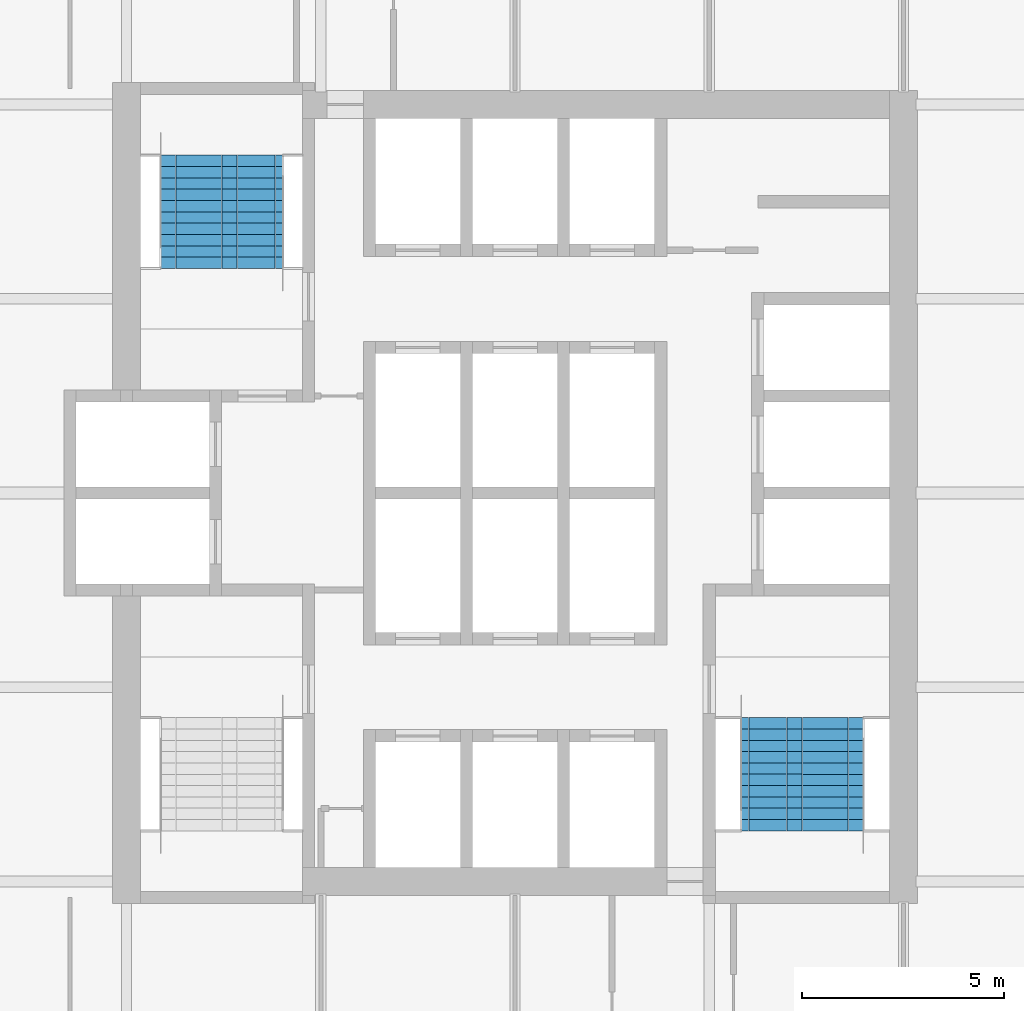
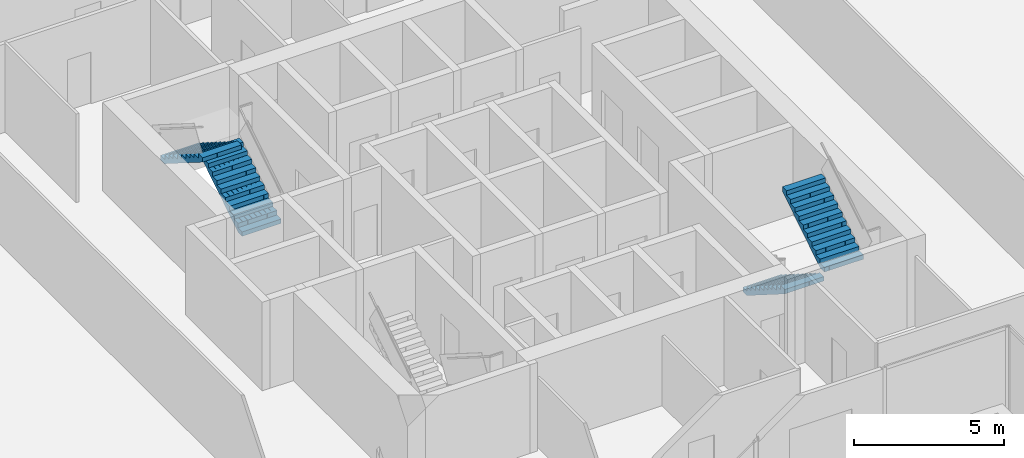
# One storey, part 16 of 18: 4 stair flights, 2 elements without a shape of their own.
"""IFC4 building model written with IfcOpenShell, lengths in metres."""

from ifc_helpers import new_model, si_unit, direction, frame, origin, place, context, subcontext, project, spatial, polyline, outline, extrude, material, type_object, element, aggregate, save


model = new_model("IFC4")

# Units and contexts
model_context = context("Model", 3, precision=1e-05, world=origin(), true_north=direction((0.0, 1.0)))
body_context = subcontext(model_context, "Body", "Model", "MODEL_VIEW")
ifc_project = project(units=[si_unit("LENGTHUNIT", "METRE"), si_unit("AREAUNIT", "SQUARE_METRE"), si_unit("VOLUMEUNIT", "CUBIC_METRE"), si_unit("PLANEANGLEUNIT", "RADIAN"), si_unit("MASSUNIT", "GRAM", prefix="KILO")], contexts=[model_context])

# Site, building, storey
site_placement = place(None, origin())
site = spatial("IfcSite", under=ifc_project, at=site_placement, CompositionType="ELEMENT")
building_placement = place(site_placement, origin())
building = spatial("IfcBuilding", under=site, at=building_placement, Name="Kolab Exchange Tower", CompositionType="ELEMENT")
storey_placement = place(building_placement, frame((0.0, 0.0, 212.89990234375)))
storey = spatial("IfcBuildingStorey", under=building, at=storey_placement, Name="L46", CompositionType="ELEMENT", Elevation=212.89990234375)

# Stair, stair flights
ifc_material = material(Name="Concrete C50/60", Category="concrete")
stair_type_1 = type_object("IfcStairType", Name="STAIR ST1 RISER 177.3", PredefinedType="HALF_TURN_STAIR", material=ifc_material)
stair_1_placement = place(storey_placement, origin())
stair_1 = element("IfcStair", 1, at=stair_1_placement, inside=storey, type_object=stair_type_1, Name="Stair 1", PredefinedType="HALF_TURN_STAIR")
stair_flight_type = type_object("IfcStairFlightType", Name="STAIR FLIGHT 1500 RISER 177.3", PredefinedType="STRAIGHT", material=ifc_material)
stair_flight_1_placement = place(storey_placement, frame((-6.489990234375, 5.550048828125, 0.0), z_axis=(0.0, 0.0, 1.0), x_axis=(0.0, 1.0, 0.0)))
stair_flight_1 = element("IfcStairFlight", 2, at=stair_flight_1_placement, type_object=stair_flight_type, Name="ST1 flight 1", NumberOfRisers=11, NumberOfTreads=10, PredefinedType="STRAIGHT", RiserHeight=0.177272727, TreadLength=0.28, context=body_context, shape_type="SweptSolid", body=[
    extrude(outline(polyline([(0.0, 0.0), (0.0, 0.17724609375), (0.280029296875, 0.17724609375), (0.280029296875, 0.3544921875), (0.56005859375, 0.3544921875), (0.56005859375, 0.53173828125), (0.840087890625, 0.53173828125), (0.840087890625, 0.708984375), (1.1201171875, 0.708984375), (1.1201171875, 0.886474609375), (1.39990234375, 0.886474609375), (1.39990234375, 1.063720703125), (1.679931640625, 1.063720703125), (1.679931640625, 1.240966796875), (1.9599609375, 1.240966796875), (1.9599609375, 1.418212890625), (2.239990234375, 1.418212890625), (2.239990234375, 1.595458984375), (2.52001953125, 1.595458984375), (2.52001953125, 1.772705078125), (2.800048828125, 1.772705078125), (2.800048828125, 1.949951171875), (2.800048828125, 1.59521484375), (0.2802734375, 0.0), (0.0, 0.0)])), frame((0.0, 0.75, 0.0), z_axis=(0.0, -1.0, 0.0), x_axis=(1.0, 0.0, 0.0)), (0.0, 0.0, 1.0), 0.185791015625),
    extrude(outline(polyline([(0.0, 0.0), (0.0, 0.17724609375), (0.280029296875, 0.17724609375), (0.280029296875, 0.3544921875), (0.56005859375, 0.3544921875), (0.56005859375, 0.53173828125), (0.840087890625, 0.53173828125), (0.840087890625, 0.708984375), (1.1201171875, 0.708984375), (1.1201171875, 0.886474609375), (1.39990234375, 0.886474609375), (1.39990234375, 1.063720703125), (1.679931640625, 1.063720703125), (1.679931640625, 1.240966796875), (1.9599609375, 1.240966796875), (1.9599609375, 1.418212890625), (2.239990234375, 1.418212890625), (2.239990234375, 1.595458984375), (2.52001953125, 1.595458984375), (2.52001953125, 1.772705078125), (2.800048828125, 1.772705078125), (2.800048828125, 1.949951171875), (2.800048828125, 1.59521484375), (0.2802734375, 0.0), (0.0, 0.0)])), frame((0.0, 0.562255859375, 0.0), z_axis=(0.0, -1.0, 0.0), x_axis=(1.0, 0.0, 0.0)), (0.0, 0.0, 1.0), 0.185791015625),
    extrude(outline(polyline([(0.0, 0.0), (0.0, 0.17724609375), (0.280029296875, 0.17724609375), (0.280029296875, 0.3544921875), (0.56005859375, 0.3544921875), (0.56005859375, 0.53173828125), (0.840087890625, 0.53173828125), (0.840087890625, 0.708984375), (1.1201171875, 0.708984375), (1.1201171875, 0.886474609375), (1.39990234375, 0.886474609375), (1.39990234375, 1.063720703125), (1.679931640625, 1.063720703125), (1.679931640625, 1.240966796875), (1.9599609375, 1.240966796875), (1.9599609375, 1.418212890625), (2.239990234375, 1.418212890625), (2.239990234375, 1.595458984375), (2.52001953125, 1.595458984375), (2.52001953125, 1.772705078125), (2.800048828125, 1.772705078125), (2.800048828125, 1.949951171875), (2.800048828125, 1.59521484375), (0.2802734375, 0.0), (0.0, 0.0)])), frame((0.0, 0.37451171875, 0.0), z_axis=(0.0, -1.0, 0.0), x_axis=(1.0, 0.0, 0.0)), (0.0, 0.0, 1.0), 0.185791015625),
    extrude(outline(polyline([(0.0, 0.0), (0.0, 0.17724609375), (0.280029296875, 0.17724609375), (0.280029296875, 0.3544921875), (0.56005859375, 0.3544921875), (0.56005859375, 0.53173828125), (0.840087890625, 0.53173828125), (0.840087890625, 0.708984375), (1.1201171875, 0.708984375), (1.1201171875, 0.886474609375), (1.39990234375, 0.886474609375), (1.39990234375, 1.063720703125), (1.679931640625, 1.063720703125), (1.679931640625, 1.240966796875), (1.9599609375, 1.240966796875), (1.9599609375, 1.418212890625), (2.239990234375, 1.418212890625), (2.239990234375, 1.595458984375), (2.52001953125, 1.595458984375), (2.52001953125, 1.772705078125), (2.800048828125, 1.772705078125), (2.800048828125, 1.949951171875), (2.800048828125, 1.59521484375), (0.2802734375, 0.0), (0.0, 0.0)])), frame((0.0, 0.186767578125, 0.0), z_axis=(0.0, -1.0, 0.0), x_axis=(1.0, 0.0, 0.0)), (0.0, 0.0, 1.0), 0.185791015625),
    extrude(outline(polyline([(0.0, 0.0), (0.0, 0.17724609375), (0.280029296875, 0.17724609375), (0.280029296875, 0.3544921875), (0.56005859375, 0.3544921875), (0.56005859375, 0.53173828125), (0.840087890625, 0.53173828125), (0.840087890625, 0.708984375), (1.1201171875, 0.708984375), (1.1201171875, 0.886474609375), (1.39990234375, 0.886474609375), (1.39990234375, 1.063720703125), (1.679931640625, 1.063720703125), (1.679931640625, 1.240966796875), (1.9599609375, 1.240966796875), (1.9599609375, 1.418212890625), (2.239990234375, 1.418212890625), (2.239990234375, 1.595458984375), (2.52001953125, 1.595458984375), (2.52001953125, 1.772705078125), (2.800048828125, 1.772705078125), (2.800048828125, 1.949951171875), (2.800048828125, 1.59521484375), (0.2802734375, 0.0), (0.0, 0.0)])), frame((0.0, -0.0009765625, 0.0), z_axis=(0.0, -1.0, 0.0), x_axis=(1.0, 0.0, 0.0)), (0.0, 0.0, 1.0), 0.185791015625),
    extrude(outline(polyline([(0.0, 0.0), (0.0, 0.17724609375), (0.280029296875, 0.17724609375), (0.280029296875, 0.3544921875), (0.56005859375, 0.3544921875), (0.56005859375, 0.53173828125), (0.840087890625, 0.53173828125), (0.840087890625, 0.708984375), (1.1201171875, 0.708984375), (1.1201171875, 0.886474609375), (1.39990234375, 0.886474609375), (1.39990234375, 1.063720703125), (1.679931640625, 1.063720703125), (1.679931640625, 1.240966796875), (1.9599609375, 1.240966796875), (1.9599609375, 1.418212890625), (2.239990234375, 1.418212890625), (2.239990234375, 1.595458984375), (2.52001953125, 1.595458984375), (2.52001953125, 1.772705078125), (2.800048828125, 1.772705078125), (2.800048828125, 1.949951171875), (2.800048828125, 1.59521484375), (0.2802734375, 0.0), (0.0, 0.0)])), frame((0.0, -0.188720703125, 0.0), z_axis=(0.0, -1.0, 0.0), x_axis=(1.0, 0.0, 0.0)), (0.0, 0.0, 1.0), 0.185791015625),
    extrude(outline(polyline([(0.0, 0.0), (0.0, 0.17724609375), (0.280029296875, 0.17724609375), (0.280029296875, 0.3544921875), (0.56005859375, 0.3544921875), (0.56005859375, 0.53173828125), (0.840087890625, 0.53173828125), (0.840087890625, 0.708984375), (1.1201171875, 0.708984375), (1.1201171875, 0.886474609375), (1.39990234375, 0.886474609375), (1.39990234375, 1.063720703125), (1.679931640625, 1.063720703125), (1.679931640625, 1.240966796875), (1.9599609375, 1.240966796875), (1.9599609375, 1.418212890625), (2.239990234375, 1.418212890625), (2.239990234375, 1.595458984375), (2.52001953125, 1.595458984375), (2.52001953125, 1.772705078125), (2.800048828125, 1.772705078125), (2.800048828125, 1.949951171875), (2.800048828125, 1.59521484375), (0.2802734375, 0.0), (0.0, 0.0)])), frame((0.0, -0.37646484375, 0.0), z_axis=(0.0, -1.0, 0.0), x_axis=(1.0, 0.0, 0.0)), (0.0, 0.0, 1.0), 0.185791015625),
    extrude(outline(polyline([(0.0, 0.0), (0.0, 0.17724609375), (0.280029296875, 0.17724609375), (0.280029296875, 0.3544921875), (0.56005859375, 0.3544921875), (0.56005859375, 0.53173828125), (0.840087890625, 0.53173828125), (0.840087890625, 0.708984375), (1.1201171875, 0.708984375), (1.1201171875, 0.886474609375), (1.39990234375, 0.886474609375), (1.39990234375, 1.063720703125), (1.679931640625, 1.063720703125), (1.679931640625, 1.240966796875), (1.9599609375, 1.240966796875), (1.9599609375, 1.418212890625), (2.239990234375, 1.418212890625), (2.239990234375, 1.595458984375), (2.52001953125, 1.595458984375), (2.52001953125, 1.772705078125), (2.800048828125, 1.772705078125), (2.800048828125, 1.949951171875), (2.800048828125, 1.59521484375), (0.2802734375, 0.0), (0.0, 0.0)])), frame((0.0, -0.564208984375, 0.0), z_axis=(0.0, -1.0, 0.0), x_axis=(1.0, 0.0, 0.0)), (0.0, 0.0, 1.0), 0.185791015625),
])
stair_flight_2_placement = place(storey_placement, frame((-8.010009765625, 8.35009765625, 1.9501953125), z_axis=(0.0, 0.0, 1.0), x_axis=(0.0, -1.0, 0.0)))
stair_flight_2 = element("IfcStairFlight", 3, at=stair_flight_2_placement, type_object=stair_flight_type, Name="ST1 flight 2", NumberOfRisers=11, NumberOfTreads=10, PredefinedType="STRAIGHT", RiserHeight=0.177272727, TreadLength=0.28, context=body_context, shape_type="SweptSolid", body=[
    extrude(outline(polyline([(0.0, 0.0), (0.0, 0.17724609375), (0.280029296875, 0.17724609375), (0.280029296875, 0.3544921875), (0.56005859375, 0.3544921875), (0.56005859375, 0.53173828125), (0.840087890625, 0.53173828125), (0.840087890625, 0.708984375), (1.1201171875, 0.708984375), (1.1201171875, 0.886474609375), (1.39990234375, 0.886474609375), (1.39990234375, 1.063720703125), (1.679931640625, 1.063720703125), (1.679931640625, 1.240966796875), (1.9599609375, 1.240966796875), (1.9599609375, 1.418212890625), (2.239990234375, 1.418212890625), (2.239990234375, 1.595458984375), (2.52001953125, 1.595458984375), (2.52001953125, 1.772705078125), (2.800048828125, 1.772705078125), (2.800048828125, 1.949951171875), (2.800048828125, 1.59521484375), (0.2802734375, 0.0), (0.0, 0.0)])), frame((0.0, 0.75, 0.0), z_axis=(0.0, -1.0, 0.0), x_axis=(1.0, 0.0, 0.0)), (0.0, 0.0, 1.0), 0.185791015625),
    extrude(outline(polyline([(0.0, 0.0), (0.0, 0.17724609375), (0.280029296875, 0.17724609375), (0.280029296875, 0.3544921875), (0.56005859375, 0.3544921875), (0.56005859375, 0.53173828125), (0.840087890625, 0.53173828125), (0.840087890625, 0.708984375), (1.1201171875, 0.708984375), (1.1201171875, 0.886474609375), (1.39990234375, 0.886474609375), (1.39990234375, 1.063720703125), (1.679931640625, 1.063720703125), (1.679931640625, 1.240966796875), (1.9599609375, 1.240966796875), (1.9599609375, 1.418212890625), (2.239990234375, 1.418212890625), (2.239990234375, 1.595458984375), (2.52001953125, 1.595458984375), (2.52001953125, 1.772705078125), (2.800048828125, 1.772705078125), (2.800048828125, 1.949951171875), (2.800048828125, 1.59521484375), (0.2802734375, 0.0), (0.0, 0.0)])), frame((0.0, 0.562255859375, 0.0), z_axis=(0.0, -1.0, 0.0), x_axis=(1.0, 0.0, 0.0)), (0.0, 0.0, 1.0), 0.185791015625),
    extrude(outline(polyline([(0.0, 0.0), (0.0, 0.17724609375), (0.280029296875, 0.17724609375), (0.280029296875, 0.3544921875), (0.56005859375, 0.3544921875), (0.56005859375, 0.53173828125), (0.840087890625, 0.53173828125), (0.840087890625, 0.708984375), (1.1201171875, 0.708984375), (1.1201171875, 0.886474609375), (1.39990234375, 0.886474609375), (1.39990234375, 1.063720703125), (1.679931640625, 1.063720703125), (1.679931640625, 1.240966796875), (1.9599609375, 1.240966796875), (1.9599609375, 1.418212890625), (2.239990234375, 1.418212890625), (2.239990234375, 1.595458984375), (2.52001953125, 1.595458984375), (2.52001953125, 1.772705078125), (2.800048828125, 1.772705078125), (2.800048828125, 1.949951171875), (2.800048828125, 1.59521484375), (0.2802734375, 0.0), (0.0, 0.0)])), frame((0.0, 0.37451171875, 0.0), z_axis=(0.0, -1.0, 0.0), x_axis=(1.0, 0.0, 0.0)), (0.0, 0.0, 1.0), 0.185791015625),
    extrude(outline(polyline([(0.0, 0.0), (0.0, 0.17724609375), (0.280029296875, 0.17724609375), (0.280029296875, 0.3544921875), (0.56005859375, 0.3544921875), (0.56005859375, 0.53173828125), (0.840087890625, 0.53173828125), (0.840087890625, 0.708984375), (1.1201171875, 0.708984375), (1.1201171875, 0.886474609375), (1.39990234375, 0.886474609375), (1.39990234375, 1.063720703125), (1.679931640625, 1.063720703125), (1.679931640625, 1.240966796875), (1.9599609375, 1.240966796875), (1.9599609375, 1.418212890625), (2.239990234375, 1.418212890625), (2.239990234375, 1.595458984375), (2.52001953125, 1.595458984375), (2.52001953125, 1.772705078125), (2.800048828125, 1.772705078125), (2.800048828125, 1.949951171875), (2.800048828125, 1.59521484375), (0.2802734375, 0.0), (0.0, 0.0)])), frame((0.0, 0.186767578125, 0.0), z_axis=(0.0, -1.0, 0.0), x_axis=(1.0, 0.0, 0.0)), (0.0, 0.0, 1.0), 0.185791015625),
    extrude(outline(polyline([(0.0, 0.0), (0.0, 0.17724609375), (0.280029296875, 0.17724609375), (0.280029296875, 0.3544921875), (0.56005859375, 0.3544921875), (0.56005859375, 0.53173828125), (0.840087890625, 0.53173828125), (0.840087890625, 0.708984375), (1.1201171875, 0.708984375), (1.1201171875, 0.886474609375), (1.39990234375, 0.886474609375), (1.39990234375, 1.063720703125), (1.679931640625, 1.063720703125), (1.679931640625, 1.240966796875), (1.9599609375, 1.240966796875), (1.9599609375, 1.418212890625), (2.239990234375, 1.418212890625), (2.239990234375, 1.595458984375), (2.52001953125, 1.595458984375), (2.52001953125, 1.772705078125), (2.800048828125, 1.772705078125), (2.800048828125, 1.949951171875), (2.800048828125, 1.59521484375), (0.2802734375, 0.0), (0.0, 0.0)])), frame((0.0, -0.0009765625, 0.0), z_axis=(0.0, -1.0, 0.0), x_axis=(1.0, 0.0, 0.0)), (0.0, 0.0, 1.0), 0.185791015625),
    extrude(outline(polyline([(0.0, 0.0), (0.0, 0.17724609375), (0.280029296875, 0.17724609375), (0.280029296875, 0.3544921875), (0.56005859375, 0.3544921875), (0.56005859375, 0.53173828125), (0.840087890625, 0.53173828125), (0.840087890625, 0.708984375), (1.1201171875, 0.708984375), (1.1201171875, 0.886474609375), (1.39990234375, 0.886474609375), (1.39990234375, 1.063720703125), (1.679931640625, 1.063720703125), (1.679931640625, 1.240966796875), (1.9599609375, 1.240966796875), (1.9599609375, 1.418212890625), (2.239990234375, 1.418212890625), (2.239990234375, 1.595458984375), (2.52001953125, 1.595458984375), (2.52001953125, 1.772705078125), (2.800048828125, 1.772705078125), (2.800048828125, 1.949951171875), (2.800048828125, 1.59521484375), (0.2802734375, 0.0), (0.0, 0.0)])), frame((0.0, -0.188720703125, 0.0), z_axis=(0.0, -1.0, 0.0), x_axis=(1.0, 0.0, 0.0)), (0.0, 0.0, 1.0), 0.185791015625),
    extrude(outline(polyline([(0.0, 0.0), (0.0, 0.17724609375), (0.280029296875, 0.17724609375), (0.280029296875, 0.3544921875), (0.56005859375, 0.3544921875), (0.56005859375, 0.53173828125), (0.840087890625, 0.53173828125), (0.840087890625, 0.708984375), (1.1201171875, 0.708984375), (1.1201171875, 0.886474609375), (1.39990234375, 0.886474609375), (1.39990234375, 1.063720703125), (1.679931640625, 1.063720703125), (1.679931640625, 1.240966796875), (1.9599609375, 1.240966796875), (1.9599609375, 1.418212890625), (2.239990234375, 1.418212890625), (2.239990234375, 1.595458984375), (2.52001953125, 1.595458984375), (2.52001953125, 1.772705078125), (2.800048828125, 1.772705078125), (2.800048828125, 1.949951171875), (2.800048828125, 1.59521484375), (0.2802734375, 0.0), (0.0, 0.0)])), frame((0.0, -0.37646484375, 0.0), z_axis=(0.0, -1.0, 0.0), x_axis=(1.0, 0.0, 0.0)), (0.0, 0.0, 1.0), 0.185791015625),
    extrude(outline(polyline([(0.0, 0.0), (0.0, 0.17724609375), (0.280029296875, 0.17724609375), (0.280029296875, 0.3544921875), (0.56005859375, 0.3544921875), (0.56005859375, 0.53173828125), (0.840087890625, 0.53173828125), (0.840087890625, 0.708984375), (1.1201171875, 0.708984375), (1.1201171875, 0.886474609375), (1.39990234375, 0.886474609375), (1.39990234375, 1.063720703125), (1.679931640625, 1.063720703125), (1.679931640625, 1.240966796875), (1.9599609375, 1.240966796875), (1.9599609375, 1.418212890625), (2.239990234375, 1.418212890625), (2.239990234375, 1.595458984375), (2.52001953125, 1.595458984375), (2.52001953125, 1.772705078125), (2.800048828125, 1.772705078125), (2.800048828125, 1.949951171875), (2.800048828125, 1.59521484375), (0.2802734375, 0.0), (0.0, 0.0)])), frame((0.0, -0.564208984375, 0.0), z_axis=(0.0, -1.0, 0.0), x_axis=(1.0, 0.0, 0.0)), (0.0, 0.0, 1.0), 0.185791015625),
])
aggregate(stair_1, [stair_flight_1, stair_flight_2])

stair_type_2 = type_object("IfcStairType", Name="STAIR ST2 RISER 177.3", PredefinedType="HALF_TURN_STAIR", material=ifc_material)
stair_2_placement = place(storey_placement, origin())
stair_2 = element("IfcStair", 4, at=stair_2_placement, inside=storey, type_object=stair_type_2, Name="Stair 2", PredefinedType="HALF_TURN_STAIR")
stair_flight_3_placement = place(storey_placement, frame((6.340087890625, -5.550048828125, 0.0), z_axis=(0.0, 0.0, 1.0), x_axis=(0.0, -1.0, 0.0)))
stair_flight_3 = element("IfcStairFlight", 5, at=stair_flight_3_placement, type_object=stair_flight_type, Name="ST2 flight 1", NumberOfRisers=11, NumberOfTreads=10, PredefinedType="STRAIGHT", RiserHeight=0.177272727, TreadLength=0.28, context=body_context, shape_type="SweptSolid", body=[
    extrude(outline(polyline([(0.0, 0.0), (0.0, 0.17724609375), (0.280029296875, 0.17724609375), (0.280029296875, 0.3544921875), (0.56005859375, 0.3544921875), (0.56005859375, 0.53173828125), (0.840087890625, 0.53173828125), (0.840087890625, 0.708984375), (1.1201171875, 0.708984375), (1.1201171875, 0.886474609375), (1.39990234375, 0.886474609375), (1.39990234375, 1.063720703125), (1.679931640625, 1.063720703125), (1.679931640625, 1.240966796875), (1.9599609375, 1.240966796875), (1.9599609375, 1.418212890625), (2.239990234375, 1.418212890625), (2.239990234375, 1.595458984375), (2.52001953125, 1.595458984375), (2.52001953125, 1.772705078125), (2.800048828125, 1.772705078125), (2.800048828125, 1.949951171875), (2.800048828125, 1.59521484375), (0.2802734375, 0.0), (0.0, 0.0)])), frame((0.0, 0.75, 0.0), z_axis=(0.0, -1.0, 0.0), x_axis=(1.0, 0.0, 0.0)), (0.0, 0.0, 1.0), 0.185791015625),
    extrude(outline(polyline([(0.0, 0.0), (0.0, 0.17724609375), (0.280029296875, 0.17724609375), (0.280029296875, 0.3544921875), (0.56005859375, 0.3544921875), (0.56005859375, 0.53173828125), (0.840087890625, 0.53173828125), (0.840087890625, 0.708984375), (1.1201171875, 0.708984375), (1.1201171875, 0.886474609375), (1.39990234375, 0.886474609375), (1.39990234375, 1.063720703125), (1.679931640625, 1.063720703125), (1.679931640625, 1.240966796875), (1.9599609375, 1.240966796875), (1.9599609375, 1.418212890625), (2.239990234375, 1.418212890625), (2.239990234375, 1.595458984375), (2.52001953125, 1.595458984375), (2.52001953125, 1.772705078125), (2.800048828125, 1.772705078125), (2.800048828125, 1.949951171875), (2.800048828125, 1.59521484375), (0.2802734375, 0.0), (0.0, 0.0)])), frame((0.0, 0.562255859375, 0.0), z_axis=(0.0, -1.0, 0.0), x_axis=(1.0, 0.0, 0.0)), (0.0, 0.0, 1.0), 0.185791015625),
    extrude(outline(polyline([(0.0, 0.0), (0.0, 0.17724609375), (0.280029296875, 0.17724609375), (0.280029296875, 0.3544921875), (0.56005859375, 0.3544921875), (0.56005859375, 0.53173828125), (0.840087890625, 0.53173828125), (0.840087890625, 0.708984375), (1.1201171875, 0.708984375), (1.1201171875, 0.886474609375), (1.39990234375, 0.886474609375), (1.39990234375, 1.063720703125), (1.679931640625, 1.063720703125), (1.679931640625, 1.240966796875), (1.9599609375, 1.240966796875), (1.9599609375, 1.418212890625), (2.239990234375, 1.418212890625), (2.239990234375, 1.595458984375), (2.52001953125, 1.595458984375), (2.52001953125, 1.772705078125), (2.800048828125, 1.772705078125), (2.800048828125, 1.949951171875), (2.800048828125, 1.59521484375), (0.2802734375, 0.0), (0.0, 0.0)])), frame((0.0, 0.37451171875, 0.0), z_axis=(0.0, -1.0, 0.0), x_axis=(1.0, 0.0, 0.0)), (0.0, 0.0, 1.0), 0.185791015625),
    extrude(outline(polyline([(0.0, 0.0), (0.0, 0.17724609375), (0.280029296875, 0.17724609375), (0.280029296875, 0.3544921875), (0.56005859375, 0.3544921875), (0.56005859375, 0.53173828125), (0.840087890625, 0.53173828125), (0.840087890625, 0.708984375), (1.1201171875, 0.708984375), (1.1201171875, 0.886474609375), (1.39990234375, 0.886474609375), (1.39990234375, 1.063720703125), (1.679931640625, 1.063720703125), (1.679931640625, 1.240966796875), (1.9599609375, 1.240966796875), (1.9599609375, 1.418212890625), (2.239990234375, 1.418212890625), (2.239990234375, 1.595458984375), (2.52001953125, 1.595458984375), (2.52001953125, 1.772705078125), (2.800048828125, 1.772705078125), (2.800048828125, 1.949951171875), (2.800048828125, 1.59521484375), (0.2802734375, 0.0), (0.0, 0.0)])), frame((0.0, 0.186767578125, 0.0), z_axis=(0.0, -1.0, 0.0), x_axis=(1.0, 0.0, 0.0)), (0.0, 0.0, 1.0), 0.185791015625),
    extrude(outline(polyline([(0.0, 0.0), (0.0, 0.17724609375), (0.280029296875, 0.17724609375), (0.280029296875, 0.3544921875), (0.56005859375, 0.3544921875), (0.56005859375, 0.53173828125), (0.840087890625, 0.53173828125), (0.840087890625, 0.708984375), (1.1201171875, 0.708984375), (1.1201171875, 0.886474609375), (1.39990234375, 0.886474609375), (1.39990234375, 1.063720703125), (1.679931640625, 1.063720703125), (1.679931640625, 1.240966796875), (1.9599609375, 1.240966796875), (1.9599609375, 1.418212890625), (2.239990234375, 1.418212890625), (2.239990234375, 1.595458984375), (2.52001953125, 1.595458984375), (2.52001953125, 1.772705078125), (2.800048828125, 1.772705078125), (2.800048828125, 1.949951171875), (2.800048828125, 1.59521484375), (0.2802734375, 0.0), (0.0, 0.0)])), frame((0.0, -0.0009765625, 0.0), z_axis=(0.0, -1.0, 0.0), x_axis=(1.0, 0.0, 0.0)), (0.0, 0.0, 1.0), 0.185791015625),
    extrude(outline(polyline([(0.0, 0.0), (0.0, 0.17724609375), (0.280029296875, 0.17724609375), (0.280029296875, 0.3544921875), (0.56005859375, 0.3544921875), (0.56005859375, 0.53173828125), (0.840087890625, 0.53173828125), (0.840087890625, 0.708984375), (1.1201171875, 0.708984375), (1.1201171875, 0.886474609375), (1.39990234375, 0.886474609375), (1.39990234375, 1.063720703125), (1.679931640625, 1.063720703125), (1.679931640625, 1.240966796875), (1.9599609375, 1.240966796875), (1.9599609375, 1.418212890625), (2.239990234375, 1.418212890625), (2.239990234375, 1.595458984375), (2.52001953125, 1.595458984375), (2.52001953125, 1.772705078125), (2.800048828125, 1.772705078125), (2.800048828125, 1.949951171875), (2.800048828125, 1.59521484375), (0.2802734375, 0.0), (0.0, 0.0)])), frame((0.0, -0.188720703125, 0.0), z_axis=(0.0, -1.0, 0.0), x_axis=(1.0, 0.0, 0.0)), (0.0, 0.0, 1.0), 0.185791015625),
    extrude(outline(polyline([(0.0, 0.0), (0.0, 0.17724609375), (0.280029296875, 0.17724609375), (0.280029296875, 0.3544921875), (0.56005859375, 0.3544921875), (0.56005859375, 0.53173828125), (0.840087890625, 0.53173828125), (0.840087890625, 0.708984375), (1.1201171875, 0.708984375), (1.1201171875, 0.886474609375), (1.39990234375, 0.886474609375), (1.39990234375, 1.063720703125), (1.679931640625, 1.063720703125), (1.679931640625, 1.240966796875), (1.9599609375, 1.240966796875), (1.9599609375, 1.418212890625), (2.239990234375, 1.418212890625), (2.239990234375, 1.595458984375), (2.52001953125, 1.595458984375), (2.52001953125, 1.772705078125), (2.800048828125, 1.772705078125), (2.800048828125, 1.949951171875), (2.800048828125, 1.59521484375), (0.2802734375, 0.0), (0.0, 0.0)])), frame((0.0, -0.37646484375, 0.0), z_axis=(0.0, -1.0, 0.0), x_axis=(1.0, 0.0, 0.0)), (0.0, 0.0, 1.0), 0.185791015625),
    extrude(outline(polyline([(0.0, 0.0), (0.0, 0.17724609375), (0.280029296875, 0.17724609375), (0.280029296875, 0.3544921875), (0.56005859375, 0.3544921875), (0.56005859375, 0.53173828125), (0.840087890625, 0.53173828125), (0.840087890625, 0.708984375), (1.1201171875, 0.708984375), (1.1201171875, 0.886474609375), (1.39990234375, 0.886474609375), (1.39990234375, 1.063720703125), (1.679931640625, 1.063720703125), (1.679931640625, 1.240966796875), (1.9599609375, 1.240966796875), (1.9599609375, 1.418212890625), (2.239990234375, 1.418212890625), (2.239990234375, 1.595458984375), (2.52001953125, 1.595458984375), (2.52001953125, 1.772705078125), (2.800048828125, 1.772705078125), (2.800048828125, 1.949951171875), (2.800048828125, 1.59521484375), (0.2802734375, 0.0), (0.0, 0.0)])), frame((0.0, -0.564208984375, 0.0), z_axis=(0.0, -1.0, 0.0), x_axis=(1.0, 0.0, 0.0)), (0.0, 0.0, 1.0), 0.185791015625),
])
stair_flight_4_placement = place(storey_placement, frame((7.860107421875, -8.35009765625, 1.9501953125), z_axis=(0.0, 0.0, 1.0), x_axis=(0.0, 1.0, 0.0)))
stair_flight_4 = element("IfcStairFlight", 6, at=stair_flight_4_placement, type_object=stair_flight_type, Name="ST2 flight 2", NumberOfRisers=11, NumberOfTreads=10, PredefinedType="STRAIGHT", RiserHeight=0.177272727, TreadLength=0.28, context=body_context, shape_type="SweptSolid", body=[
    extrude(outline(polyline([(0.0, 0.0), (0.0, 0.17724609375), (0.280029296875, 0.17724609375), (0.280029296875, 0.3544921875), (0.56005859375, 0.3544921875), (0.56005859375, 0.53173828125), (0.840087890625, 0.53173828125), (0.840087890625, 0.708984375), (1.1201171875, 0.708984375), (1.1201171875, 0.886474609375), (1.39990234375, 0.886474609375), (1.39990234375, 1.063720703125), (1.679931640625, 1.063720703125), (1.679931640625, 1.240966796875), (1.9599609375, 1.240966796875), (1.9599609375, 1.418212890625), (2.239990234375, 1.418212890625), (2.239990234375, 1.595458984375), (2.52001953125, 1.595458984375), (2.52001953125, 1.772705078125), (2.800048828125, 1.772705078125), (2.800048828125, 1.949951171875), (2.800048828125, 1.59521484375), (0.2802734375, 0.0), (0.0, 0.0)])), frame((0.0, 0.75, 0.0), z_axis=(0.0, -1.0, 0.0), x_axis=(1.0, 0.0, 0.0)), (0.0, 0.0, 1.0), 0.185791015625),
    extrude(outline(polyline([(0.0, 0.0), (0.0, 0.17724609375), (0.280029296875, 0.17724609375), (0.280029296875, 0.3544921875), (0.56005859375, 0.3544921875), (0.56005859375, 0.53173828125), (0.840087890625, 0.53173828125), (0.840087890625, 0.708984375), (1.1201171875, 0.708984375), (1.1201171875, 0.886474609375), (1.39990234375, 0.886474609375), (1.39990234375, 1.063720703125), (1.679931640625, 1.063720703125), (1.679931640625, 1.240966796875), (1.9599609375, 1.240966796875), (1.9599609375, 1.418212890625), (2.239990234375, 1.418212890625), (2.239990234375, 1.595458984375), (2.52001953125, 1.595458984375), (2.52001953125, 1.772705078125), (2.800048828125, 1.772705078125), (2.800048828125, 1.949951171875), (2.800048828125, 1.59521484375), (0.2802734375, 0.0), (0.0, 0.0)])), frame((0.0, 0.562255859375, 0.0), z_axis=(0.0, -1.0, 0.0), x_axis=(1.0, 0.0, 0.0)), (0.0, 0.0, 1.0), 0.185791015625),
    extrude(outline(polyline([(0.0, 0.0), (0.0, 0.17724609375), (0.280029296875, 0.17724609375), (0.280029296875, 0.3544921875), (0.56005859375, 0.3544921875), (0.56005859375, 0.53173828125), (0.840087890625, 0.53173828125), (0.840087890625, 0.708984375), (1.1201171875, 0.708984375), (1.1201171875, 0.886474609375), (1.39990234375, 0.886474609375), (1.39990234375, 1.063720703125), (1.679931640625, 1.063720703125), (1.679931640625, 1.240966796875), (1.9599609375, 1.240966796875), (1.9599609375, 1.418212890625), (2.239990234375, 1.418212890625), (2.239990234375, 1.595458984375), (2.52001953125, 1.595458984375), (2.52001953125, 1.772705078125), (2.800048828125, 1.772705078125), (2.800048828125, 1.949951171875), (2.800048828125, 1.59521484375), (0.2802734375, 0.0), (0.0, 0.0)])), frame((0.0, 0.37451171875, 0.0), z_axis=(0.0, -1.0, 0.0), x_axis=(1.0, 0.0, 0.0)), (0.0, 0.0, 1.0), 0.185791015625),
    extrude(outline(polyline([(0.0, 0.0), (0.0, 0.17724609375), (0.280029296875, 0.17724609375), (0.280029296875, 0.3544921875), (0.56005859375, 0.3544921875), (0.56005859375, 0.53173828125), (0.840087890625, 0.53173828125), (0.840087890625, 0.708984375), (1.1201171875, 0.708984375), (1.1201171875, 0.886474609375), (1.39990234375, 0.886474609375), (1.39990234375, 1.063720703125), (1.679931640625, 1.063720703125), (1.679931640625, 1.240966796875), (1.9599609375, 1.240966796875), (1.9599609375, 1.418212890625), (2.239990234375, 1.418212890625), (2.239990234375, 1.595458984375), (2.52001953125, 1.595458984375), (2.52001953125, 1.772705078125), (2.800048828125, 1.772705078125), (2.800048828125, 1.949951171875), (2.800048828125, 1.59521484375), (0.2802734375, 0.0), (0.0, 0.0)])), frame((0.0, 0.186767578125, 0.0), z_axis=(0.0, -1.0, 0.0), x_axis=(1.0, 0.0, 0.0)), (0.0, 0.0, 1.0), 0.185791015625),
    extrude(outline(polyline([(0.0, 0.0), (0.0, 0.17724609375), (0.280029296875, 0.17724609375), (0.280029296875, 0.3544921875), (0.56005859375, 0.3544921875), (0.56005859375, 0.53173828125), (0.840087890625, 0.53173828125), (0.840087890625, 0.708984375), (1.1201171875, 0.708984375), (1.1201171875, 0.886474609375), (1.39990234375, 0.886474609375), (1.39990234375, 1.063720703125), (1.679931640625, 1.063720703125), (1.679931640625, 1.240966796875), (1.9599609375, 1.240966796875), (1.9599609375, 1.418212890625), (2.239990234375, 1.418212890625), (2.239990234375, 1.595458984375), (2.52001953125, 1.595458984375), (2.52001953125, 1.772705078125), (2.800048828125, 1.772705078125), (2.800048828125, 1.949951171875), (2.800048828125, 1.59521484375), (0.2802734375, 0.0), (0.0, 0.0)])), frame((0.0, -0.0009765625, 0.0), z_axis=(0.0, -1.0, 0.0), x_axis=(1.0, 0.0, 0.0)), (0.0, 0.0, 1.0), 0.185791015625),
    extrude(outline(polyline([(0.0, 0.0), (0.0, 0.17724609375), (0.280029296875, 0.17724609375), (0.280029296875, 0.3544921875), (0.56005859375, 0.3544921875), (0.56005859375, 0.53173828125), (0.840087890625, 0.53173828125), (0.840087890625, 0.708984375), (1.1201171875, 0.708984375), (1.1201171875, 0.886474609375), (1.39990234375, 0.886474609375), (1.39990234375, 1.063720703125), (1.679931640625, 1.063720703125), (1.679931640625, 1.240966796875), (1.9599609375, 1.240966796875), (1.9599609375, 1.418212890625), (2.239990234375, 1.418212890625), (2.239990234375, 1.595458984375), (2.52001953125, 1.595458984375), (2.52001953125, 1.772705078125), (2.800048828125, 1.772705078125), (2.800048828125, 1.949951171875), (2.800048828125, 1.59521484375), (0.2802734375, 0.0), (0.0, 0.0)])), frame((0.0, -0.188720703125, 0.0), z_axis=(0.0, -1.0, 0.0), x_axis=(1.0, 0.0, 0.0)), (0.0, 0.0, 1.0), 0.185791015625),
    extrude(outline(polyline([(0.0, 0.0), (0.0, 0.17724609375), (0.280029296875, 0.17724609375), (0.280029296875, 0.3544921875), (0.56005859375, 0.3544921875), (0.56005859375, 0.53173828125), (0.840087890625, 0.53173828125), (0.840087890625, 0.708984375), (1.1201171875, 0.708984375), (1.1201171875, 0.886474609375), (1.39990234375, 0.886474609375), (1.39990234375, 1.063720703125), (1.679931640625, 1.063720703125), (1.679931640625, 1.240966796875), (1.9599609375, 1.240966796875), (1.9599609375, 1.418212890625), (2.239990234375, 1.418212890625), (2.239990234375, 1.595458984375), (2.52001953125, 1.595458984375), (2.52001953125, 1.772705078125), (2.800048828125, 1.772705078125), (2.800048828125, 1.949951171875), (2.800048828125, 1.59521484375), (0.2802734375, 0.0), (0.0, 0.0)])), frame((0.0, -0.37646484375, 0.0), z_axis=(0.0, -1.0, 0.0), x_axis=(1.0, 0.0, 0.0)), (0.0, 0.0, 1.0), 0.185791015625),
    extrude(outline(polyline([(0.0, 0.0), (0.0, 0.17724609375), (0.280029296875, 0.17724609375), (0.280029296875, 0.3544921875), (0.56005859375, 0.3544921875), (0.56005859375, 0.53173828125), (0.840087890625, 0.53173828125), (0.840087890625, 0.708984375), (1.1201171875, 0.708984375), (1.1201171875, 0.886474609375), (1.39990234375, 0.886474609375), (1.39990234375, 1.063720703125), (1.679931640625, 1.063720703125), (1.679931640625, 1.240966796875), (1.9599609375, 1.240966796875), (1.9599609375, 1.418212890625), (2.239990234375, 1.418212890625), (2.239990234375, 1.595458984375), (2.52001953125, 1.595458984375), (2.52001953125, 1.772705078125), (2.800048828125, 1.772705078125), (2.800048828125, 1.949951171875), (2.800048828125, 1.59521484375), (0.2802734375, 0.0), (0.0, 0.0)])), frame((0.0, -0.564208984375, 0.0), z_axis=(0.0, -1.0, 0.0), x_axis=(1.0, 0.0, 0.0)), (0.0, 0.0, 1.0), 0.185791015625),
])
aggregate(stair_2, [stair_flight_3, stair_flight_4])

save(model, "model.ifc")
